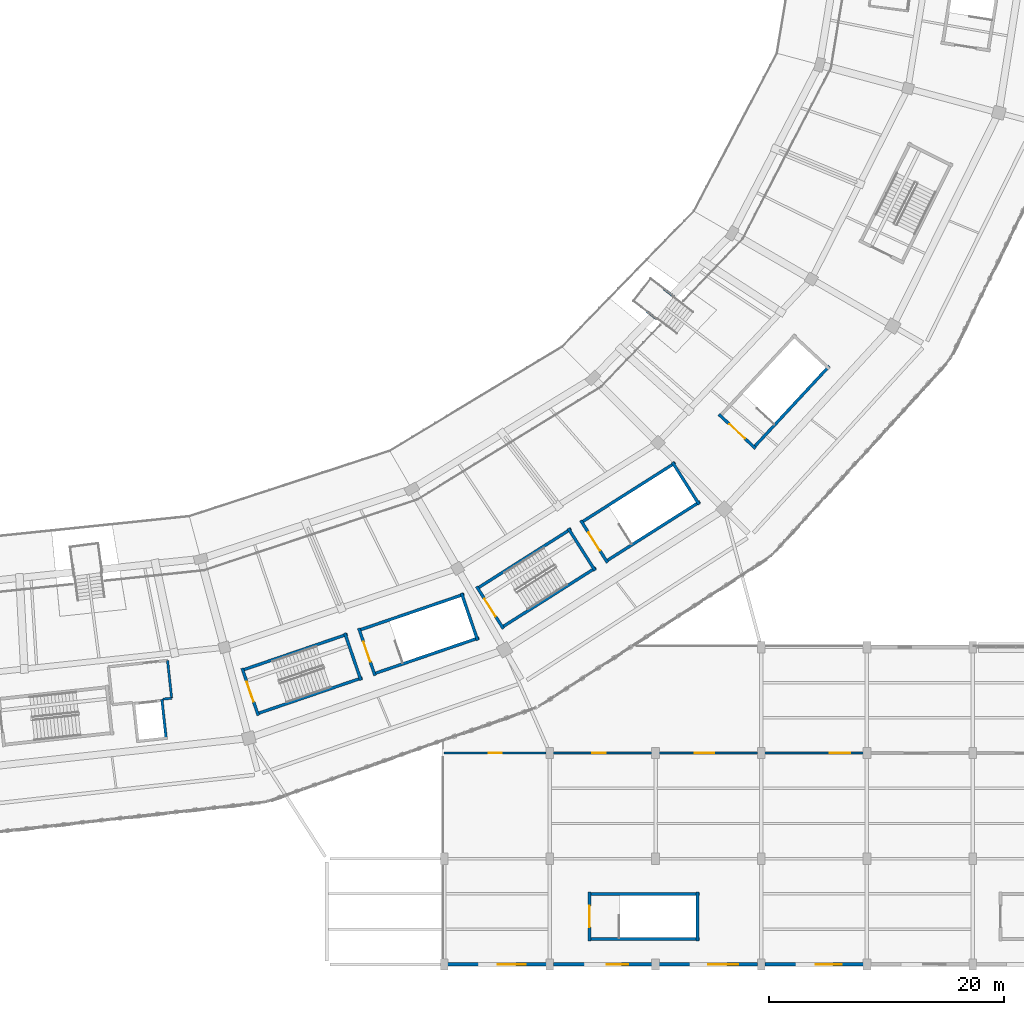
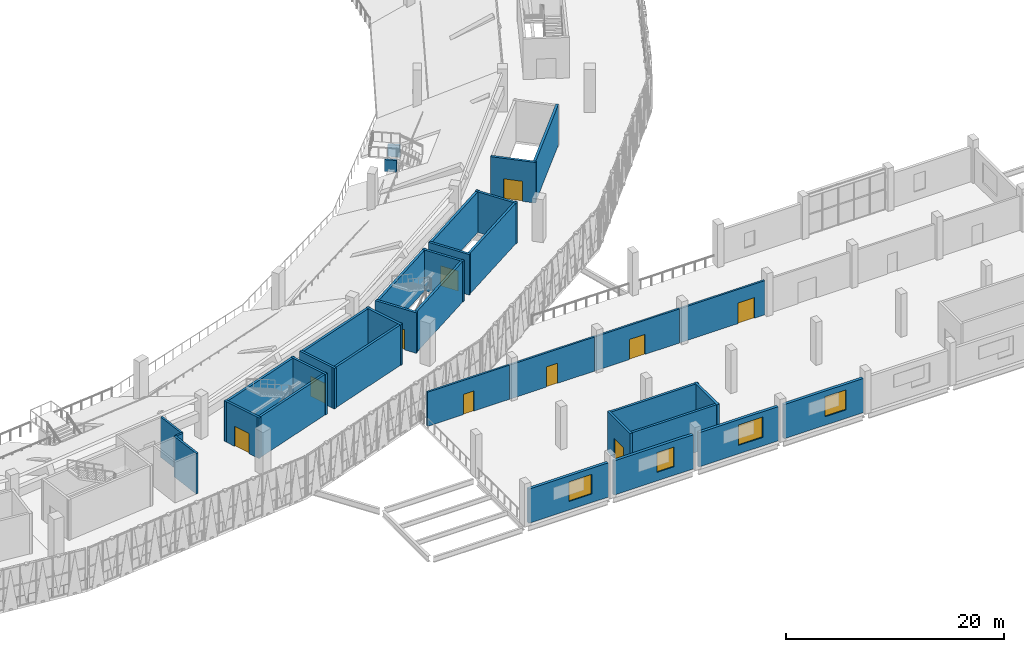
# One storey, part 95 of 152: 35 walls, 10 doors, 4 windows, 14 openings.
"""IFC4 building model written with IfcOpenShell, lengths in metres."""

from ifc_helpers import new_model, si_unit, direction, frame, frame_2d, origin, place, context, subcontext, project, spatial, rectangle, extrude, material, layer, layer_set, type_object, element, fill, save


model = new_model("IFC4")

# Units and contexts
model_context = context("Model", 3, precision=1e-05, world=origin(), true_north=direction((0.0, 1.0)))
body_context = subcontext(model_context, "Body", "Model", "MODEL_VIEW")
ifc_project = project(units=[si_unit("LENGTHUNIT", "METRE"), si_unit("AREAUNIT", "SQUARE_METRE"), si_unit("VOLUMEUNIT", "CUBIC_METRE"), si_unit("PLANEANGLEUNIT", "RADIAN"), si_unit("MASSUNIT", "GRAM", prefix="KILO")], contexts=[model_context])

# Site, building, storey
site_placement = place(None, origin())
site = spatial("IfcSite", under=ifc_project, at=site_placement, CompositionType="ELEMENT")
building_placement = place(site_placement, origin())
building = spatial("IfcBuilding", under=site, at=building_placement, Name="Zevraka Park Crest Stadium", CompositionType="ELEMENT")
storey_placement = place(building_placement, frame((0.0, 0.0, 15.0)))
storey = spatial("IfcBuildingStorey", under=building, at=storey_placement, Name="L03", CompositionType="ELEMENT", Elevation=15.0)

# Wall, opening, window
ifc_material_1 = material(Name="Limestone and red clay brick masonry", Category="masonry")
ifc_layer_1 = layer(ifc_material_1, 0.300048828125)
ifc_layer_set_1 = layer_set([ifc_layer_1], Name="Limestone and red clay brick masonry")
wall_type_1 = type_object("IfcWallType", Name="EW02", PredefinedType="STANDARD", material=ifc_layer_set_1)
wall_1_placement = place(storey_placement, frame((187.699951171875, 0.0, 0.0), z_axis=(0.0, 0.0, 1.0), x_axis=(-1.0, 0.0, 0.0)))
wall_1 = element("IfcWall", 1, at=wall_1_placement, inside=storey, type_object=wall_type_1, Name="Wing External Cavity Wall EW02 L03-SE-S3-4", PredefinedType="STANDARD", context=body_context, shape_type="SweptSolid", body=[
    extrude(rectangle(XDim=8.39990234375, YDim=0.300048828125, at=frame_2d((4.199951171875, 0.0))), origin(), (0.0, 0.0, 1.0), 3.823486328125),
])
opening_1_placement = place(wall_1_placement, frame((1.830078125, 0.0, 0.949951171875)))
opening_1 = element("IfcOpeningElement", 2, at=opening_1_placement, cuts=wall_1, Name="Opening WN40", PredefinedType="OPENING", context=body_context, shape_type="SweptSolid", body=[
    extrude(rectangle(XDim=2.219970703125, YDim=2.239990234375, at=frame_2d((1.10986328125, 1.1201171875))), frame((0.0, 0.159912109375, 0.0), z_axis=(0.0, -1.0, 0.0), x_axis=(1.0, 0.0, 0.0)), (0.0, 0.0, 1.0), 0.320068359375),
])
ifc_material_2 = material(Name="Solar-control laminated double glazing in aluminium frame", Category="aluminium")
window_type_1 = type_object("IfcWindowType", Name="WN40", PartitioningType="SINGLE_PANEL", PredefinedType="WINDOW", material=ifc_material_2)
window_1_placement = place(opening_1_placement, origin())
window_1 = element("IfcWindow", 3, at=window_1_placement, inside=storey, type_object=window_type_1, Name="Facade Casement Window WN40 W-L03-122", OverallHeight=2.239990234375, OverallWidth=2.219970703125, PartitioningType="SINGLE_PANEL", PredefinedType="WINDOW", context=body_context, shape_type="SweptSolid", body=[
    extrude(rectangle(XDim=2.219970703125, YDim=2.239990234375, at=frame_2d((1.10986328125, 1.1201171875))), frame((0.0, 0.030029296875, 0.0), z_axis=(0.0, -1.0, 0.0), x_axis=(1.0, 0.0, 0.0)), (0.0, 0.0, 1.0), 0.06005859375),
])
fill(opening_1, window_1)

wall_2_placement = place(storey_placement, frame((178.699951171875, 0.0, 0.0), z_axis=(0.0, 0.0, 1.0), x_axis=(-1.0, 0.0, 0.0)))
wall_2 = element("IfcWall", 4, at=wall_2_placement, inside=storey, type_object=wall_type_1, Name="Wing External Cavity Wall EW02 L03-SE-S3-5", PredefinedType="STANDARD", context=body_context, shape_type="SweptSolid", body=[
    extrude(rectangle(XDim=8.39990234375, YDim=0.300048828125, at=frame_2d((4.199951171875, 0.0))), origin(), (0.0, 0.0, 1.0), 3.823486328125),
])
opening_2_placement = place(wall_2_placement, frame((1.64990234375, 0.0, 0.949951171875)))
opening_2 = element("IfcOpeningElement", 5, at=opening_2_placement, cuts=wall_2, Name="Opening WN41", PredefinedType="OPENING", context=body_context, shape_type="SweptSolid", body=[
    extrude(rectangle(XDim=2.580078125, YDim=2.280029296875, at=frame_2d((1.2900390625, 1.14013671875))), frame((0.0, 0.159912109375, 0.0), z_axis=(0.0, -1.0, 0.0), x_axis=(1.0, 0.0, 0.0)), (0.0, 0.0, 1.0), 0.320068359375),
])
ifc_material_3 = material(Name="Solar-control laminated double glazing in aluminium frame", Category="aluminium")
window_type_2 = type_object("IfcWindowType", Name="WN41", PartitioningType="SINGLE_PANEL", PredefinedType="WINDOW", material=ifc_material_3)
window_2_placement = place(opening_2_placement, origin())
window_2 = element("IfcWindow", 6, at=window_2_placement, inside=storey, type_object=window_type_2, Name="Facade Casement Window WN41 W-L03-123", OverallHeight=2.280029296875, OverallWidth=2.580078125, PartitioningType="SINGLE_PANEL", PredefinedType="WINDOW", context=body_context, shape_type="SweptSolid", body=[
    extrude(rectangle(XDim=2.580078125, YDim=2.280029296875, at=frame_2d((1.2900390625, 1.14013671875))), frame((0.0, 0.030029296875, 0.0), z_axis=(0.0, -1.0, 0.0), x_axis=(1.0, 0.0, 0.0)), (0.0, 0.0, 1.0), 0.06005859375),
])
fill(opening_2, window_2)

wall_3_placement = place(storey_placement, frame((169.699951171875, 0.0, 0.0), z_axis=(0.0, 0.0, 1.0), x_axis=(-1.0, 0.0, 0.0)))
wall_3 = element("IfcWall", 7, at=wall_3_placement, inside=storey, type_object=wall_type_1, Name="Wing External Cavity Wall EW02 L03-SE-S3-6", PredefinedType="STANDARD", context=body_context, shape_type="SweptSolid", body=[
    extrude(rectangle(XDim=8.39990234375, YDim=0.300048828125, at=frame_2d((4.199951171875, 0.0))), origin(), (0.0, 0.0, 1.0), 3.823486328125),
])
opening_3_placement = place(wall_3_placement, frame((2.0400390625, 0.0, 0.949951171875)))
opening_3 = element("IfcOpeningElement", 8, at=opening_3_placement, cuts=wall_3, Name="Opening WN01", PredefinedType="OPENING", context=body_context, shape_type="SweptSolid", body=[
    extrude(rectangle(XDim=1.800048828125, YDim=2.199951171875, at=frame_2d((0.89990234375, 1.10009765625))), frame((0.0, 0.159912109375, 0.0), z_axis=(0.0, -1.0, 0.0), x_axis=(1.0, 0.0, 0.0)), (0.0, 0.0, 1.0), 0.320068359375),
])
ifc_material_4 = material(Name="Solar-control laminated double glazing in aluminium frame", Category="aluminium")
window_type_3 = type_object("IfcWindowType", Name="WN01", PartitioningType="SINGLE_PANEL", PredefinedType="WINDOW", material=ifc_material_4)
window_3_placement = place(opening_3_placement, origin())
window_3 = element("IfcWindow", 9, at=window_3_placement, inside=storey, type_object=window_type_3, Name="Facade Casement Window WN01 W-L03-124", OverallHeight=2.199951171875, OverallWidth=1.800048828125, PartitioningType="SINGLE_PANEL", PredefinedType="WINDOW", context=body_context, shape_type="SweptSolid", body=[
    extrude(rectangle(XDim=1.800048828125, YDim=2.199951171875, at=frame_2d((0.89990234375, 1.10009765625))), frame((0.0, 0.030029296875, 0.0), z_axis=(0.0, -1.0, 0.0), x_axis=(1.0, 0.0, 0.0)), (0.0, 0.0, 1.0), 0.06005859375),
])
fill(opening_3, window_3)

wall_4_placement = place(storey_placement, frame((160.699951171875, 0.0, 0.0), z_axis=(0.0, 0.0, 1.0), x_axis=(-1.0, 0.0, 0.0)))
wall_4 = element("IfcWall", 10, at=wall_4_placement, inside=storey, type_object=wall_type_1, Name="Wing External Cavity Wall EW02 L03-SE-S3-7", PredefinedType="STANDARD", context=body_context, shape_type="SweptSolid", body=[
    extrude(rectangle(XDim=8.39990234375, YDim=0.300048828125, at=frame_2d((4.199951171875, 0.0))), origin(), (0.0, 0.0, 1.0), 3.823486328125),
])
opening_4_placement = place(wall_4_placement, frame((1.739990234375, 0.0, 0.949951171875)))
opening_4 = element("IfcOpeningElement", 11, at=opening_4_placement, cuts=wall_4, Name="Opening WN02", PredefinedType="OPENING", context=body_context, shape_type="SweptSolid", body=[
    extrude(rectangle(XDim=2.39990234375, YDim=2.199951171875, at=frame_2d((1.199951171875, 1.10009765625))), frame((0.0, 0.159912109375, 0.0), z_axis=(0.0, -1.0, 0.0), x_axis=(1.0, 0.0, 0.0)), (0.0, 0.0, 1.0), 0.320068359375),
])
ifc_material_5 = material(Name="Solar-control laminated double glazing in aluminium frame", Category="aluminium")
window_type_4 = type_object("IfcWindowType", Name="WN02", PartitioningType="SINGLE_PANEL", PredefinedType="WINDOW", material=ifc_material_5)
window_4_placement = place(opening_4_placement, origin())
window_4 = element("IfcWindow", 12, at=window_4_placement, inside=storey, type_object=window_type_4, Name="Facade Casement Window WN02 W-L03-125", OverallHeight=2.199951171875, OverallWidth=2.39990234375, PartitioningType="SINGLE_PANEL", PredefinedType="WINDOW", context=body_context, shape_type="SweptSolid", body=[
    extrude(rectangle(XDim=2.39990234375, YDim=2.199951171875, at=frame_2d((1.199951171875, 1.10009765625))), frame((0.0, 0.030029296875, 0.0), z_axis=(0.0, -1.0, 0.0), x_axis=(1.0, 0.0, 0.0)), (0.0, 0.0, 1.0), 0.06005859375),
])
fill(opening_4, window_4)

# Walls
ifc_material_6 = material(Name="Autoclaved aerated masonry blockwork", Category="masonry")
ifc_layer_2 = layer(ifc_material_6, 0.199951171875)
ifc_layer_set_2 = layer_set([ifc_layer_2], Name="Autoclaved aerated masonry blockwork")
wall_type_2 = type_object("IfcWallType", Name="IW01", PredefinedType="PARTITIONING", material=ifc_layer_set_2)
wall_5_placement = place(storey_placement, frame((128.804931640625, 22.6650390625, 0.0), z_axis=(0.0, 0.0, 1.0), x_axis=(-0.994146742738, -0.108038205757, 0.0)))
element("IfcWall", 13, at=wall_5_placement, inside=storey, type_object=wall_type_2, Name="Firefighting Lift Lobby Wall IW01 FL04 L03 BACKL", PredefinedType="PARTITIONING", context=body_context, shape_type="SweptSolid", body=[
    extrude(rectangle(XDim=0.750244140625, YDim=0.199951171875, at=frame_2d((0.375, 0.0))), origin(), (0.0, 0.0, 1.0), 4.52001953125),
])
wall_6_placement = place(storey_placement, frame((128.804931640625, 22.6650390625, 0.0), z_axis=(0.0, 0.0, 1.0), x_axis=(-0.108280975823, 0.994120329877, 0.0)))
element("IfcWall", 14, at=wall_6_placement, inside=storey, type_object=wall_type_2, Name="Firefighting Lift Lobby Wall IW01 FL04 L03 LEFT", PredefinedType="PARTITIONING", context=body_context, shape_type="SweptSolid", body=[
    extrude(rectangle(XDim=3.239990234375, YDim=0.199951171875, at=frame_2d((1.6201171875, 0.0))), origin(), (0.0, 0.0, 1.0), 4.52001953125),
])

# Wall, opening, door
wall_7_placement = place(storey_placement, frame((152.0, 18.0, 0.0), z_axis=(0.0, 0.0, 1.0), x_axis=(1.0, 0.0, 0.0)))
wall_7 = element("IfcWall", 15, at=wall_7_placement, inside=storey, type_object=wall_type_2, Name="Interior Partition IW01 Acoustic Plant Control Room L03", PredefinedType="PARTITIONING", context=body_context, shape_type="SweptSolid", body=[
    extrude(rectangle(XDim=8.68994140625, YDim=0.199951171875, at=frame_2d((4.344970703125, 0.0))), origin(), (0.0, 0.0, 1.0), 3.823486328125),
])
opening_5_placement = place(wall_7_placement, frame((3.784912109375, 0.0, 0.0)))
opening_5 = element("IfcOpeningElement", 16, at=opening_5_placement, cuts=wall_7, Name="Opening D-L03-465", PredefinedType="OPENING", context=body_context, shape_type="SweptSolid", body=[
    extrude(rectangle(XDim=1.1201171875, YDim=2.25, at=frame_2d((0.56005859375, 1.125))), frame((0.0, 0.10986328125, 0.0), z_axis=(0.0, -1.0, 0.0), x_axis=(1.0, 0.0, 0.0)), (0.0, 0.0, 1.0), 0.219970703125),
])
ifc_material_7 = material(Name="Solid-core hardwood timber leaf in steel frame", Category="steel")
door_type_1 = type_object("IfcDoorType", Name="DR23", OperationType="NOTDEFINED", PredefinedType="DOOR", material=ifc_material_7)
door_1_placement = place(opening_5_placement, origin())
door_1 = element("IfcDoor", 17, at=door_1_placement, inside=storey, type_object=door_type_1, Name="Acoustic Plant Control Room Door D-L03-465", OperationType="SINGLE_SWING_LEFT", OverallHeight=2.25, OverallWidth=1.1201171875, PredefinedType="DOOR", context=body_context, shape_type="SweptSolid", body=[
    extrude(rectangle(XDim=1.1201171875, YDim=2.25, at=frame_2d((0.56005859375, 1.125))), frame((0.0, 0.02490234375, 0.0), z_axis=(0.0, -1.0, 0.0), x_axis=(1.0, 0.0, 0.0)), (0.0, 0.0, 1.0), 0.050048828125),
])
fill(opening_5, door_1)

wall_8_placement = place(storey_placement, frame((160.675048828125, 18.0, 0.0), z_axis=(0.0, 0.0, 1.0), x_axis=(1.0, 0.0, 0.0)))
wall_8 = element("IfcWall", 18, at=wall_8_placement, inside=storey, type_object=wall_type_2, Name="Interior Partition IW01 Acoustic Plant Control Room L03", PredefinedType="PARTITIONING", context=body_context, shape_type="SweptSolid", body=[
    extrude(rectangle(XDim=9.014892578125, YDim=0.199951171875, at=frame_2d((4.50732421875, 0.0))), origin(), (0.0, 0.0, 1.0), 3.823486328125),
])
opening_6_placement = place(wall_8_placement, frame((3.9169921875, 0.0, 0.0)))
opening_6 = element("IfcOpeningElement", 19, at=opening_6_placement, cuts=wall_8, Name="Opening D-L03-466", PredefinedType="OPENING", context=body_context, shape_type="SweptSolid", body=[
    extrude(rectangle(XDim=1.179931640625, YDim=2.25, at=frame_2d((0.58984375, 1.125))), frame((0.0, 0.10986328125, 0.0), z_axis=(0.0, -1.0, 0.0), x_axis=(1.0, 0.0, 0.0)), (0.0, 0.0, 1.0), 0.219970703125),
])
ifc_material_8 = material(Name="Solid-core hardwood timber leaf in steel frame", Category="steel")
door_type_2 = type_object("IfcDoorType", Name="DR24", OperationType="NOTDEFINED", PredefinedType="DOOR", material=ifc_material_8)
door_2_placement = place(opening_6_placement, origin())
door_2 = element("IfcDoor", 20, at=door_2_placement, inside=storey, type_object=door_type_2, Name="Acoustic Plant Control Room Door D-L03-466", OperationType="SINGLE_SWING_RIGHT", OverallHeight=2.25, OverallWidth=1.179931640625, PredefinedType="DOOR", context=body_context, shape_type="SweptSolid", body=[
    extrude(rectangle(XDim=1.179931640625, YDim=2.25, at=frame_2d((0.58984375, 1.125))), frame((0.0, 0.02490234375, 0.0), z_axis=(0.0, -1.0, 0.0), x_axis=(1.0, 0.0, 0.0)), (0.0, 0.0, 1.0), 0.050048828125),
])
fill(opening_6, door_2)

wall_9_placement = place(storey_placement, frame((169.675048828125, 18.0, 0.0), z_axis=(0.0, 0.0, 1.0), x_axis=(1.0, 0.0, 0.0)))
wall_9 = element("IfcWall", 21, at=wall_9_placement, inside=storey, type_object=wall_type_2, Name="Interior Partition IW01 Acoustic Plant Control Room L03", PredefinedType="PARTITIONING", context=body_context, shape_type="SweptSolid", body=[
    extrude(rectangle(XDim=9.014892578125, YDim=0.199951171875, at=frame_2d((4.50732421875, 0.0))), origin(), (0.0, 0.0, 1.0), 3.823486328125),
])
opening_7_placement = place(wall_9_placement, frame((3.681884765625, 0.0, 0.0)))
opening_7 = element("IfcOpeningElement", 22, at=opening_7_placement, cuts=wall_9, Name="Opening D-L03-467", PredefinedType="OPENING", context=body_context, shape_type="SweptSolid", body=[
    extrude(rectangle(XDim=1.64990234375, YDim=2.25, at=frame_2d((0.824951171875, 1.125))), frame((0.0, 0.10986328125, 0.0), z_axis=(0.0, -1.0, 0.0), x_axis=(1.0, 0.0, 0.0)), (0.0, 0.0, 1.0), 0.219970703125),
])
ifc_material_9 = material(Name="Solid-core hardwood timber leaf in steel frame", Category="steel")
door_type_3 = type_object("IfcDoorType", Name="DR26", OperationType="NOTDEFINED", PredefinedType="DOOR", material=ifc_material_9)
door_3_placement = place(opening_7_placement, origin())
door_3 = element("IfcDoor", 23, at=door_3_placement, inside=storey, type_object=door_type_3, Name="Acoustic Plant Control Room Door D-L03-467", OperationType="DOUBLE_DOOR_SINGLE_SWING", OverallHeight=2.25, OverallWidth=1.64990234375, PredefinedType="DOOR", context=body_context, shape_type="SweptSolid", body=[
    extrude(rectangle(XDim=1.64990234375, YDim=2.25, at=frame_2d((0.824951171875, 1.125))), frame((0.0, 0.02490234375, 0.0), z_axis=(0.0, -1.0, 0.0), x_axis=(1.0, 0.0, 0.0)), (0.0, 0.0, 1.0), 0.050048828125),
])
fill(opening_7, door_3)

wall_10_placement = place(storey_placement, frame((178.675048828125, 18.0, 0.0), z_axis=(0.0, 0.0, 1.0), x_axis=(1.0, 0.0, 0.0)))
wall_10 = element("IfcWall", 24, at=wall_10_placement, inside=storey, type_object=wall_type_2, Name="Interior Partition IW01 Acoustic Plant Control Room L03", PredefinedType="PARTITIONING", context=body_context, shape_type="SweptSolid", body=[
    extrude(rectangle(XDim=9.014892578125, YDim=0.199951171875, at=frame_2d((4.50732421875, 0.0))), origin(), (0.0, 0.0, 1.0), 3.823486328125),
])
opening_8_placement = place(wall_10_placement, frame((6.155029296875, 0.0, 0.0)))
opening_8 = element("IfcOpeningElement", 25, at=opening_8_placement, cuts=wall_10, Name="Opening D-L03-468", PredefinedType="OPENING", context=body_context, shape_type="SweptSolid", body=[
    extrude(rectangle(XDim=1.75, YDim=2.300048828125, at=frame_2d((0.875, 1.14990234375))), frame((0.0, 0.10986328125, 0.0), z_axis=(0.0, -1.0, 0.0), x_axis=(1.0, 0.0, 0.0)), (0.0, 0.0, 1.0), 0.219970703125),
])
ifc_material_10 = material(Name="Solid-core hardwood timber leaf in steel frame", Category="steel")
door_type_4 = type_object("IfcDoorType", Name="DR27", OperationType="NOTDEFINED", PredefinedType="DOOR", material=ifc_material_10)
door_4_placement = place(opening_8_placement, origin())
door_4 = element("IfcDoor", 26, at=door_4_placement, inside=storey, type_object=door_type_4, Name="Acoustic Plant Control Room Door D-L03-468", OperationType="DOUBLE_DOOR_SINGLE_SWING", OverallHeight=2.300048828125, OverallWidth=1.75, PredefinedType="DOOR", context=body_context, shape_type="SweptSolid", body=[
    extrude(rectangle(XDim=1.75, YDim=2.300048828125, at=frame_2d((0.875, 1.14990234375))), frame((0.0, 0.02490234375, 0.0), z_axis=(0.0, -1.0, 0.0), x_axis=(1.0, 0.0, 0.0)), (0.0, 0.0, 1.0), 0.050048828125),
])
fill(opening_8, door_4)

# Walls
ifc_material_11 = material(Name="Concrete C40/50", Category="concrete")
ifc_layer_3 = layer(ifc_material_11, 0.25)
ifc_layer_set_3 = layer_set([ifc_layer_3], Name="Concrete C40/50")
wall_type_3 = type_object("IfcWallType", Name="SW01", PredefinedType="SHEAR", material=ifc_layer_set_3)
wall_11_placement = place(storey_placement, frame((136.00732421875, 21.314208984375, 0.0), z_axis=(0.0, 0.0, 1.0), x_axis=(0.946064424228, 0.323978556712, 0.0)))
element("IfcWall", 27, at=wall_11_placement, inside=storey, type_object=wall_type_3, Name="Stair Core Shear Wall SW01 ST20 L03 left", PredefinedType="SHEAR", context=body_context, shape_type="SweptSolid", body=[
    extrude(rectangle(XDim=9.550048828125, YDim=0.25, at=frame_2d((4.77490234375, 0.0))), origin(), (0.0, 0.0, 1.0), 4.5400390625),
])
wall_12_placement = place(storey_placement, frame((143.7724609375, 28.116943359375, 0.0), z_axis=(0.0, 0.0, 1.0), x_axis=(-0.946067107432, -0.323970721263, 0.0)))
element("IfcWall", 28, at=wall_12_placement, inside=storey, type_object=wall_type_3, Name="Stair Core Shear Wall SW01 ST20 L03 right", PredefinedType="SHEAR", context=body_context, shape_type="SweptSolid", body=[
    extrude(rectangle(XDim=9.55029296875, YDim=0.25, at=frame_2d((4.775146484375, 0.0))), origin(), (0.0, 0.0, 1.0), 4.5400390625),
])

# Wall, opening, door
wall_13_placement = place(storey_placement, frame((134.800537109375, 25.22412109375, 0.0), z_axis=(0.0, 0.0, 1.0), x_axis=(0.323988758717, -0.946060930504, 0.0)))
wall_13 = element("IfcWall", 29, at=wall_13_placement, inside=storey, type_object=wall_type_3, Name="Stair Core Shear Wall SW01 ST20 L03 near", PredefinedType="SHEAR", context=body_context, shape_type="SweptSolid", body=[
    extrude(rectangle(XDim=4.259765625, YDim=0.25, at=frame_2d((2.1298828125, 0.0))), origin(), (0.0, 0.0, 1.0), 4.5400390625),
])
opening_9_placement = place(wall_13_placement, frame((1.22998046875, 0.0, 0.0)))
opening_9 = element("IfcOpeningElement", 30, at=opening_9_placement, cuts=wall_13, Name="Opening D-L03-120", PredefinedType="OPENING", context=body_context, shape_type="SweptSolid", body=[
    extrude(rectangle(XDim=1.800048828125, YDim=2.25, at=frame_2d((0.89990234375, 1.125))), frame((0.0, 0.135009765625, 0.0), z_axis=(0.0, -1.0, 0.0), x_axis=(1.0, 0.0, 0.0)), (0.0, 0.0, 1.0), 0.27001953125),
])
ifc_material_12 = material(Name="Solid-core hardwood timber leaf in steel frame", Category="steel")
door_type_5 = type_object("IfcDoorType", Name="DR04", OperationType="NOTDEFINED", PredefinedType="DOOR", material=ifc_material_12)
door_5_placement = place(opening_9_placement, origin())
door_5 = element("IfcDoor", 31, at=door_5_placement, inside=storey, type_object=door_type_5, Name="Protected Stair Entry Door ST20 L03", OperationType="DOUBLE_DOOR_SINGLE_SWING", OverallHeight=2.25, OverallWidth=1.800048828125, PredefinedType="DOOR", context=body_context, shape_type="SweptSolid", body=[
    extrude(rectangle(XDim=1.800048828125, YDim=2.25, at=frame_2d((0.89990234375, 1.125))), frame((0.0, 0.02490234375, 0.0), z_axis=(0.0, -1.0, 0.0), x_axis=(1.0, 0.0, 0.0)), (0.0, 0.0, 1.0), 0.050048828125),
])
fill(opening_9, door_5)

# Walls
wall_14_placement = place(storey_placement, frame((144.92236328125, 24.1875, 0.0), z_axis=(0.0, 0.0, 1.0), x_axis=(-0.323971192516, 0.946066946056, 0.0)))
element("IfcWall", 32, at=wall_14_placement, inside=storey, type_object=wall_type_3, Name="Stair Core Shear Wall SW01 ST20 L03 far", PredefinedType="SHEAR", context=body_context, shape_type="SweptSolid", body=[
    extrude(rectangle(XDim=4.260009765625, YDim=0.25, at=frame_2d((2.1298828125, 0.0))), origin(), (0.0, 0.0, 1.0), 4.5400390625),
])
for number, where, z_axis, x_axis, name in (
    (33, (156.852783203125, 28.656494140625, 0.0), (0.0, 0.0, 1.0), (0.844391246241, 0.535727004427, 0.0), "Stair Core Shear Wall SW01 ST21 L03 left"),
    (34, (162.816650390625, 37.082763671875, 0.0), (0.0, 0.0, 1.0), (-0.844391246241, -0.535727004427, 0.0), "Stair Core Shear Wall SW01 ST21 L03 right"),
):
    element("IfcWall", number, at=place(storey_placement, frame(where, z_axis=z_axis, x_axis=x_axis)), inside=storey, type_object=wall_type_3, Name=name, PredefinedType="SHEAR", context=body_context, shape_type="SweptSolid", body=[
        extrude(rectangle(XDim=9.550048828125, YDim=0.25, at=frame_2d((4.77490234375, 0.0))), origin(), (0.0, 0.0, 1.0), 4.5400390625),
    ])

# Wall, opening, door
wall_15_placement = place(storey_placement, frame((154.767333984375, 32.177001953125, 0.0), z_axis=(0.0, 0.0, 1.0), x_axis=(0.535684577572, -0.844418162613, 0.0)))
wall_15 = element("IfcWall", 35, at=wall_15_placement, inside=storey, type_object=wall_type_3, Name="Stair Core Shear Wall SW01 ST21 L03 near", PredefinedType="SHEAR", context=body_context, shape_type="SweptSolid", body=[
    extrude(rectangle(XDim=4.260009765625, YDim=0.25, at=frame_2d((2.1298828125, 0.0))), origin(), (0.0, 0.0, 1.0), 4.5400390625),
])
opening_10_placement = place(wall_15_placement, frame((1.22998046875, 0.0, 0.0)))
opening_10 = element("IfcOpeningElement", 36, at=opening_10_placement, cuts=wall_15, Name="Opening D-L03-127", PredefinedType="OPENING", context=body_context, shape_type="SweptSolid", body=[
    extrude(rectangle(XDim=1.800048828125, YDim=2.25, at=frame_2d((0.89990234375, 1.125))), frame((0.0, 0.135009765625, 0.0), z_axis=(0.0, -1.0, 0.0), x_axis=(1.0, 0.0, 0.0)), (0.0, 0.0, 1.0), 0.27001953125),
])
door_6_placement = place(opening_10_placement, origin())
door_6 = element("IfcDoor", 37, at=door_6_placement, inside=storey, type_object=door_type_5, Name="Protected Stair Entry Door ST21 L03", OperationType="DOUBLE_DOOR_SINGLE_SWING", OverallHeight=2.25, OverallWidth=1.800048828125, PredefinedType="DOOR", context=body_context, shape_type="SweptSolid", body=[
    extrude(rectangle(XDim=1.800048828125, YDim=2.25, at=frame_2d((0.89990234375, 1.125))), frame((0.0, 0.02490234375, 0.0), z_axis=(0.0, -1.0, 0.0), x_axis=(1.0, 0.0, 0.0)), (0.0, 0.0, 1.0), 0.050048828125),
])
fill(opening_10, door_6)

# Walls
wall_16_placement = place(storey_placement, frame((164.8515625, 33.530029296875, 0.0), z_axis=(0.0, 0.0, 1.0), x_axis=(-0.53572544074, 0.844392238325, 0.0)))
element("IfcWall", 38, at=wall_16_placement, inside=storey, type_object=wall_type_3, Name="Stair Core Shear Wall SW01 ST21 L03 far", PredefinedType="SHEAR", context=body_context, shape_type="SweptSolid", body=[
    extrude(rectangle(XDim=4.260009765625, YDim=0.25, at=frame_2d((2.1298828125, 0.0))), origin(), (0.0, 0.0, 1.0), 4.5400390625),
])
wall_17_placement = place(storey_placement, frame((178.3056640625, 43.952392578125, 0.0), z_axis=(0.0, 0.0, 1.0), x_axis=(0.680257902718, 0.7329728411, 0.0)))
element("IfcWall", 39, at=wall_17_placement, inside=storey, type_object=wall_type_3, Name="Stair Core Shear Wall SW01 ST22 L03 left", PredefinedType="SHEAR", context=body_context, shape_type="SweptSolid", body=[
    extrude(rectangle(XDim=9.5498046875, YDim=0.25, at=frame_2d((4.77490234375, 0.0))), origin(), (0.0, 0.0, 1.0), 4.5400390625),
])

# Wall, opening, door
wall_18_placement = place(storey_placement, frame((175.392822265625, 46.826171875, 0.0), z_axis=(0.0, 0.0, 1.0), x_axis=(0.73295064559, -0.680281817433, 0.0)))
wall_18 = element("IfcWall", 40, at=wall_18_placement, inside=storey, type_object=wall_type_3, Name="Stair Core Shear Wall SW01 ST22 L03 near", PredefinedType="SHEAR", context=body_context, shape_type="SweptSolid", body=[
    extrude(rectangle(XDim=4.260009765625, YDim=0.25, at=frame_2d((2.1298828125, 0.0))), origin(), (0.0, 0.0, 1.0), 4.5400390625),
])
opening_11_placement = place(wall_18_placement, frame((1.22998046875, 0.0, 0.0)))
opening_11 = element("IfcOpeningElement", 41, at=opening_11_placement, cuts=wall_18, Name="Opening D-L03-133", PredefinedType="OPENING", context=body_context, shape_type="SweptSolid", body=[
    extrude(rectangle(XDim=1.800048828125, YDim=2.25, at=frame_2d((0.89990234375, 1.125))), frame((0.0, 0.135009765625, 0.0), z_axis=(0.0, -1.0, 0.0), x_axis=(1.0, 0.0, 0.0)), (0.0, 0.0, 1.0), 0.27001953125),
])
door_7_placement = place(opening_11_placement, origin())
door_7 = element("IfcDoor", 42, at=door_7_placement, inside=storey, type_object=door_type_5, Name="Protected Stair Entry Door ST22 L03", OperationType="DOUBLE_DOOR_SINGLE_SWING", OverallHeight=2.25, OverallWidth=1.800048828125, PredefinedType="DOOR", context=body_context, shape_type="SweptSolid", body=[
    extrude(rectangle(XDim=1.800048828125, YDim=2.25, at=frame_2d((0.89990234375, 1.125))), frame((0.0, 0.02490234375, 0.0), z_axis=(0.0, -1.0, 0.0), x_axis=(1.0, 0.0, 0.0)), (0.0, 0.0, 1.0), 0.050048828125),
])
fill(opening_11, door_7)

# Walls
for number, where, z_axis, x_axis, name in (
    (43, (145.94140625, 24.71533203125, 0.0), (0.0, 0.0, 1.0), (0.946064424228, 0.323978556712, 0.0), "Stair Core Shear Wall SW01 ST31 L03 left"),
    (44, (153.706298828125, 31.517822265625, 0.0), (0.0, 0.0, 1.0), (-0.946064424228, -0.323978556712, 0.0), "Stair Core Shear Wall SW01 ST31 L03 right"),
):
    element("IfcWall", number, at=place(storey_placement, frame(where, z_axis=z_axis, x_axis=x_axis)), inside=storey, type_object=wall_type_3, Name=name, PredefinedType="SHEAR", context=body_context, shape_type="SweptSolid", body=[
        extrude(rectangle(XDim=9.550048828125, YDim=0.25, at=frame_2d((4.77490234375, 0.0))), origin(), (0.0, 0.0, 1.0), 4.5400390625),
    ])

# Wall, opening, door
wall_19_placement = place(storey_placement, frame((144.734619140625, 28.625244140625, 0.0), z_axis=(0.0, 0.0, 1.0), x_axis=(0.323971192516, -0.946066946056, 0.0)))
wall_19 = element("IfcWall", 45, at=wall_19_placement, inside=storey, type_object=wall_type_3, Name="Stair Core Shear Wall SW01 ST31 L03 near", PredefinedType="SHEAR", context=body_context, shape_type="SweptSolid", body=[
    extrude(rectangle(XDim=4.260009765625, YDim=0.25, at=frame_2d((2.1298828125, 0.0))), origin(), (0.0, 0.0, 1.0), 4.5400390625),
])
opening_12_placement = place(wall_19_placement, frame((1.22998046875, 0.0, 0.0)))
opening_12 = element("IfcOpeningElement", 46, at=opening_12_placement, cuts=wall_19, Name="Opening D-L03-179", PredefinedType="OPENING", context=body_context, shape_type="SweptSolid", body=[
    extrude(rectangle(XDim=1.800048828125, YDim=2.25, at=frame_2d((0.89990234375, 1.125))), frame((0.0, 0.135009765625, 0.0), z_axis=(0.0, -1.0, 0.0), x_axis=(1.0, 0.0, 0.0)), (0.0, 0.0, 1.0), 0.27001953125),
])
door_8_placement = place(opening_12_placement, origin())
door_8 = element("IfcDoor", 47, at=door_8_placement, inside=storey, type_object=door_type_5, Name="Protected Stair Entry Door ST31 L03", OperationType="DOUBLE_DOOR_SINGLE_SWING", OverallHeight=2.25, OverallWidth=1.800048828125, PredefinedType="DOOR", context=body_context, shape_type="SweptSolid", body=[
    extrude(rectangle(XDim=1.800048828125, YDim=2.25, at=frame_2d((0.89990234375, 1.125))), frame((0.0, 0.02490234375, 0.0), z_axis=(0.0, -1.0, 0.0), x_axis=(1.0, 0.0, 0.0)), (0.0, 0.0, 1.0), 0.050048828125),
])
fill(opening_12, door_8)

# Walls
wall_20_placement = place(storey_placement, frame((154.8564453125, 27.588623046875, 0.0), z_axis=(0.0, 0.0, 1.0), x_axis=(-0.323988758717, 0.946060930504, 0.0)))
element("IfcWall", 48, at=wall_20_placement, inside=storey, type_object=wall_type_3, Name="Stair Core Shear Wall SW01 ST31 L03 far", PredefinedType="SHEAR", context=body_context, shape_type="SweptSolid", body=[
    extrude(rectangle(XDim=4.259765625, YDim=0.25, at=frame_2d((2.1298828125, 0.0))), origin(), (0.0, 0.0, 1.0), 4.5400390625),
])
for number, where, z_axis, x_axis, name in (
    (49, (165.71875, 34.281494140625, 0.0), (0.0, 0.0, 1.0), (0.844391246241, 0.535727004427, 0.0), "Stair Core Shear Wall SW01 ST32 L03 left"),
    (50, (171.6826171875, 42.707763671875, 0.0), (0.0, 0.0, 1.0), (-0.844391246241, -0.535727004427, 0.0), "Stair Core Shear Wall SW01 ST32 L03 right"),
):
    element("IfcWall", number, at=place(storey_placement, frame(where, z_axis=z_axis, x_axis=x_axis)), inside=storey, type_object=wall_type_3, Name=name, PredefinedType="SHEAR", context=body_context, shape_type="SweptSolid", body=[
        extrude(rectangle(XDim=9.550048828125, YDim=0.25, at=frame_2d((4.77490234375, 0.0))), origin(), (0.0, 0.0, 1.0), 4.5400390625),
    ])

# Wall, opening, door
wall_21_placement = place(storey_placement, frame((163.63330078125, 37.802001953125, 0.0), z_axis=(0.0, 0.0, 1.0), x_axis=(0.535684577572, -0.844418162613, 0.0)))
wall_21 = element("IfcWall", 51, at=wall_21_placement, inside=storey, type_object=wall_type_3, Name="Stair Core Shear Wall SW01 ST32 L03 near", PredefinedType="SHEAR", context=body_context, shape_type="SweptSolid", body=[
    extrude(rectangle(XDim=4.260009765625, YDim=0.25, at=frame_2d((2.1298828125, 0.0))), origin(), (0.0, 0.0, 1.0), 4.5400390625),
])
opening_13_placement = place(wall_21_placement, frame((1.22998046875, 0.0, 0.0)))
opening_13 = element("IfcOpeningElement", 52, at=opening_13_placement, cuts=wall_21, Name="Opening D-L03-184", PredefinedType="OPENING", context=body_context, shape_type="SweptSolid", body=[
    extrude(rectangle(XDim=1.800048828125, YDim=2.25, at=frame_2d((0.89990234375, 1.125))), frame((0.0, 0.135009765625, 0.0), z_axis=(0.0, -1.0, 0.0), x_axis=(1.0, 0.0, 0.0)), (0.0, 0.0, 1.0), 0.27001953125),
])
door_9_placement = place(opening_13_placement, origin())
door_9 = element("IfcDoor", 53, at=door_9_placement, inside=storey, type_object=door_type_5, Name="Protected Stair Entry Door ST32 L03", OperationType="DOUBLE_DOOR_SINGLE_SWING", OverallHeight=2.25, OverallWidth=1.800048828125, PredefinedType="DOOR", context=body_context, shape_type="SweptSolid", body=[
    extrude(rectangle(XDim=1.800048828125, YDim=2.25, at=frame_2d((0.89990234375, 1.125))), frame((0.0, 0.02490234375, 0.0), z_axis=(0.0, -1.0, 0.0), x_axis=(1.0, 0.0, 0.0)), (0.0, 0.0, 1.0), 0.050048828125),
])
fill(opening_13, door_9)

# Walls
wall_22_placement = place(storey_placement, frame((173.717529296875, 39.155029296875, 0.0), z_axis=(0.0, 0.0, 1.0), x_axis=(-0.535684577572, 0.844418162613, 0.0)))
element("IfcWall", 54, at=wall_22_placement, inside=storey, type_object=wall_type_3, Name="Stair Core Shear Wall SW01 ST32 L03 far", PredefinedType="SHEAR", context=body_context, shape_type="SweptSolid", body=[
    extrude(rectangle(XDim=4.260009765625, YDim=0.25, at=frame_2d((2.1298828125, 0.0))), origin(), (0.0, 0.0, 1.0), 4.5400390625),
])
for number, where, z_axis, x_axis, name in (
    (55, (164.25, 2.169921875, 0.0), (0.0, 0.0, 1.0), (1.0, 0.0, 0.0), "Stair Core Shear Wall SW01 ST53 L03 left"),
    (56, (173.75, 5.989990234375, 0.0), (0.0, 0.0, 1.0), (-1.0, 0.0, 0.0), "Stair Core Shear Wall SW01 ST53 L03 right"),
):
    element("IfcWall", number, at=place(storey_placement, frame(where, z_axis=z_axis, x_axis=x_axis)), inside=storey, type_object=wall_type_3, Name=name, PredefinedType="SHEAR", context=body_context, shape_type="SweptSolid", body=[
        extrude(rectangle(XDim=9.5, YDim=0.25, at=frame_2d((4.75, 0.0))), origin(), (0.0, 0.0, 1.0), 4.5400390625),
    ])

# Wall, opening, door
wall_23_placement = place(storey_placement, frame((164.375, 6.159912109375, 0.0), z_axis=(0.0, 0.0, 1.0), x_axis=(0.0, -1.0, 0.0)))
wall_23 = element("IfcWall", 57, at=wall_23_placement, inside=storey, type_object=wall_type_3, Name="Stair Core Shear Wall SW01 ST53 L03 near", PredefinedType="SHEAR", context=body_context, shape_type="SweptSolid", body=[
    extrude(rectangle(XDim=4.159912109375, YDim=0.25, at=frame_2d((2.080078125, 0.0))), origin(), (0.0, 0.0, 1.0), 4.5400390625),
])
opening_14_placement = place(wall_23_placement, frame((1.179931640625, 0.0, 0.0)))
opening_14 = element("IfcOpeningElement", 58, at=opening_14_placement, cuts=wall_23, Name="Opening D-L03-277", PredefinedType="OPENING", context=body_context, shape_type="SweptSolid", body=[
    extrude(rectangle(XDim=1.800048828125, YDim=2.25, at=frame_2d((0.89990234375, 1.125))), frame((0.0, 0.135009765625, 0.0), z_axis=(0.0, -1.0, 0.0), x_axis=(1.0, 0.0, 0.0)), (0.0, 0.0, 1.0), 0.27001953125),
])
door_10_placement = place(opening_14_placement, origin())
door_10 = element("IfcDoor", 59, at=door_10_placement, inside=storey, type_object=door_type_5, Name="Protected Stair Entry Door ST53 L03", OperationType="DOUBLE_DOOR_SINGLE_SWING", OverallHeight=2.25, OverallWidth=1.800048828125, PredefinedType="DOOR", context=body_context, shape_type="SweptSolid", body=[
    extrude(rectangle(XDim=1.800048828125, YDim=2.25, at=frame_2d((0.89990234375, 1.125))), frame((0.0, 0.02490234375, 0.0), z_axis=(0.0, -1.0, 0.0), x_axis=(1.0, 0.0, 0.0)), (0.0, 0.0, 1.0), 0.050048828125),
])
fill(opening_14, door_10)

# Walls
wall_24_placement = place(storey_placement, frame((173.56494140625, 2.0, 0.0), z_axis=(0.0, 0.0, 1.0), x_axis=(0.0, 1.0, 0.0)))
element("IfcWall", 60, at=wall_24_placement, inside=storey, type_object=wall_type_3, Name="Stair Core Shear Wall SW01 ST53 L03 far", PredefinedType="SHEAR", context=body_context, shape_type="SweptSolid", body=[
    extrude(rectangle(XDim=4.159912109375, YDim=0.25, at=frame_2d((2.080078125, 0.0))), origin(), (0.0, 0.0, 1.0), 4.5400390625),
])
ifc_material_13 = material(Name="Concrete C40/50", Category="concrete")
ifc_layer_4 = layer(ifc_material_13, 0.219970703125)
ifc_layer_set_4 = layer_set([ifc_layer_4], Name="Concrete C40/50")
wall_type_4 = type_object("IfcWallType", Name="SW02", PredefinedType="SHEAR", material=ifc_layer_set_4)
for number, where, z_axis, x_axis, name in (
    (61, (171.5869140625, 56.843017578125, -0.300048828125), (0.0, 0.0, 1.0), (-0.79308717536, 0.609108144979, 0.0), "Vomitory Portal Support Wall SW02 VS-16-1"),
    (62, (170.1259765625, 54.93896484375, -0.300048828125), (0.0, 0.0, 1.0), (-0.792983350532, 0.609243305896, 0.0), "Vomitory Portal Support Wall SW02 VS-16-2"),
):
    element("IfcWall", number, at=place(storey_placement, frame(where, z_axis=z_axis, x_axis=x_axis)), inside=storey, type_object=wall_type_4, Name=name, PredefinedType="SHEAR", context=body_context, shape_type="SweptSolid", body=[
        extrude(rectangle(XDim=1.135986328125, YDim=0.219970703125, at=frame_2d((0.56787109375, 0.0))), origin(), (0.0, 0.0, 1.0), 1.320068359375),
    ])
wall_25_placement = place(storey_placement, frame((128.343994140625, 19.155029296875, 0.0), z_axis=(0.0, 0.0, 1.0), x_axis=(-0.108748511736, 0.994069293961, 0.0)))
element("IfcWall", 63, at=wall_25_placement, inside=storey, type_object=wall_type_4, Name="Lift Shaft Shear Wall SW02 FL04 L03-2", PredefinedType="SHEAR", context=body_context, shape_type="SweptSolid", body=[
    extrude(rectangle(XDim=3.439453125, YDim=0.219970703125, at=frame_2d((1.7197265625, 0.0))), origin(), (0.0, 0.0, 1.0), 4.5400390625),
])

save(model, "model.ifc")
